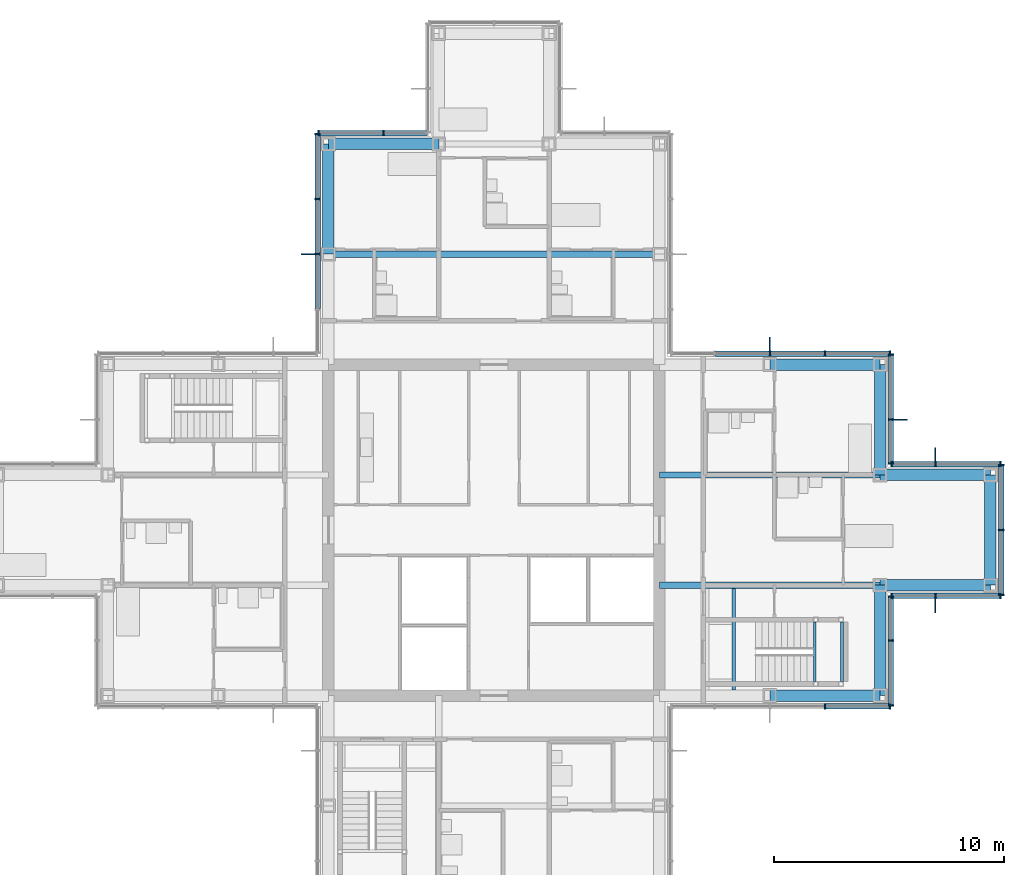
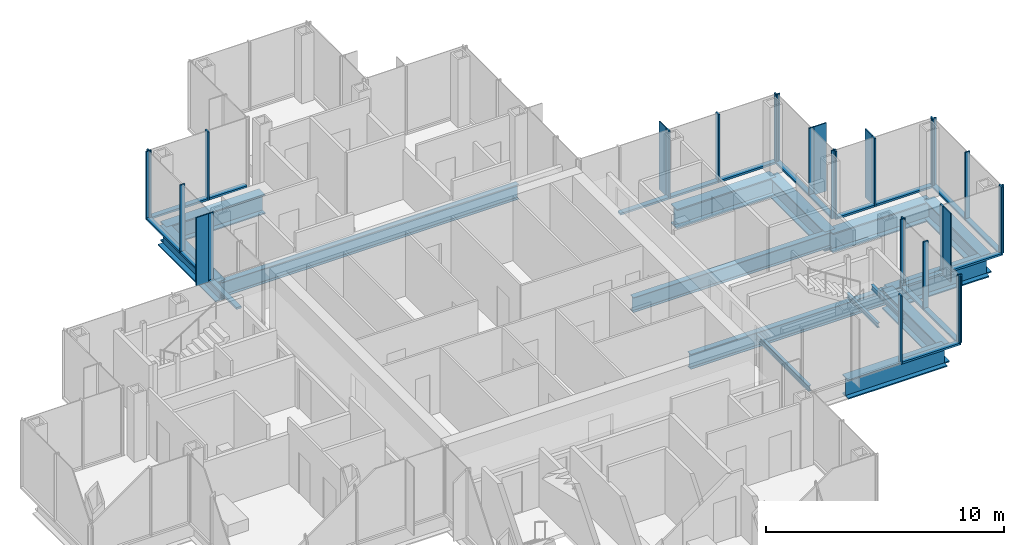
# One storey, part 8 of 17: 49 members, 15 beams, 9 elements without a shape of their own.
"""IFC4 building model written with IfcOpenShell, lengths in metres."""

from ifc_helpers import new_model, si_unit, direction, frame, origin, origin_2d, place, context, subcontext, project, spatial, rectangle, i_section, extrude, material, material_profile, profile_set, type_object, element, aggregate, save


model = new_model("IFC4")

# Units and contexts
model_context = context("Model", 3, precision=1e-05, world=origin(), true_north=direction((0.0, 1.0)))
body_context = subcontext(model_context, "Body", "Model", "MODEL_VIEW")
ifc_project = project(units=[si_unit("LENGTHUNIT", "METRE"), si_unit("AREAUNIT", "SQUARE_METRE"), si_unit("VOLUMEUNIT", "CUBIC_METRE"), si_unit("PLANEANGLEUNIT", "RADIAN"), si_unit("MASSUNIT", "GRAM", prefix="KILO")], contexts=[model_context])

# Site, building, storey
site_placement = place(None, origin())
site = spatial("IfcSite", under=ifc_project, at=site_placement, CompositionType="ELEMENT")
building_placement = place(site_placement, origin())
building = spatial("IfcBuilding", under=site, at=building_placement, Name="Kvirike Care Tower", CompositionType="ELEMENT")
storey_placement = place(building_placement, frame((0.0, 0.0, 179.5)))
storey = spatial("IfcBuildingStorey", under=building, at=storey_placement, Name="L49", CompositionType="ELEMENT", Elevation=179.5)

# Curtain wall, member
ifc_material_1 = material(Name="Anodised aluminium stick system", Category="aluminium")
curtain_wall_type = type_object("IfcCurtainWallType", Name="CW-C STICK CURTAIN WALL", PredefinedType="NOTDEFINED", material=ifc_material_1)
curtain_wall_1_placement = place(storey_placement, origin())
curtain_wall_1 = element("IfcCurtainWall", 1, at=curtain_wall_1_placement, inside=storey, type_object=curtain_wall_type, Name="Curtain wall L49 face 3", PredefinedType="NOTDEFINED")
ifc_material_2 = material(Name="Bronze anodised aluminium fin", Category="aluminium")
ifc_material_profile_1 = material_profile(ifc_material_2, rectangle(XDim=0.050048828125, YDim=0.60009765625, at=origin_2d()), Name="BRONZE FIN 600")
ifc_profile_set_1 = profile_set([ifc_material_profile_1], Name="Bronze anodised aluminium fin")
member_type_1 = type_object("IfcMemberType", Name="BRONZE FIN 600", PredefinedType="USERDEFINED", material=ifc_profile_set_1)
member_1_placement = place(storey_placement, frame((40.800048828125, 32.7099609375, 0.0), z_axis=(0.0, 0.0, 1.0), x_axis=(1.0, 0.0, 0.0)))
member_1 = element("IfcMember", 2, at=member_1_placement, type_object=member_type_1, Name="Bronze fin L49 face 3.2", ObjectType="FIN", PredefinedType="USERDEFINED", context=body_context, shape_type="SweptSolid", body=[
    extrude(rectangle(XDim=0.050048828125, YDim=0.60009765625, at=origin_2d()), origin(), (0.0, 0.0, 1.0), 3.5),
])

curtain_wall_2_placement = place(storey_placement, origin())
curtain_wall_2 = element("IfcCurtainWall", 3, at=curtain_wall_2_placement, inside=storey, type_object=curtain_wall_type, Name="Curtain wall L49 face 5", PredefinedType="NOTDEFINED")
member_2_placement = place(storey_placement, frame((40.800048828125, 39.2900390625, 0.0), z_axis=(0.0, 0.0, 1.0), x_axis=(-1.0, 0.0, 0.0)))
member_2 = element("IfcMember", 4, at=member_2_placement, type_object=member_type_1, Name="Bronze fin L49 face 5.2", ObjectType="FIN", PredefinedType="USERDEFINED", context=body_context, shape_type="SweptSolid", body=[
    extrude(rectangle(XDim=0.050048828125, YDim=0.60009765625, at=origin_2d()), origin(), (0.0, 0.0, 1.0), 3.5),
])

curtain_wall_3_placement = place(storey_placement, origin())
curtain_wall_3 = element("IfcCurtainWall", 5, at=curtain_wall_3_placement, inside=storey, type_object=curtain_wall_type, Name="Curtain wall L49 face 6", PredefinedType="NOTDEFINED")
member_3_placement = place(storey_placement, frame((39.2900390625, 40.800048828125, 0.0), z_axis=(0.0, 0.0, 1.0), x_axis=(0.0, 1.0, 0.0)))
member_3 = element("IfcMember", 6, at=member_3_placement, type_object=member_type_1, Name="Bronze fin L49 face 6.2", ObjectType="FIN", PredefinedType="USERDEFINED", context=body_context, shape_type="SweptSolid", body=[
    extrude(rectangle(XDim=0.050048828125, YDim=0.60009765625, at=origin_2d()), origin(), (0.0, 0.0, 1.0), 3.5),
])

curtain_wall_4_placement = place(storey_placement, origin())
curtain_wall_4 = element("IfcCurtainWall", 7, at=curtain_wall_4_placement, inside=storey, type_object=curtain_wall_type, Name="Curtain wall L49 face 7", PredefinedType="NOTDEFINED")
member_4_placement = place(storey_placement, frame((33.60009765625, 44.090087890625, 0.0), z_axis=(0.0, 0.0, 1.0), x_axis=(-1.0, 0.0, 0.0)))
member_4 = element("IfcMember", 8, at=member_4_placement, type_object=member_type_1, Name="Bronze fin L49 face 7.3", ObjectType="FIN", PredefinedType="USERDEFINED", context=body_context, shape_type="SweptSolid", body=[
    extrude(rectangle(XDim=0.050048828125, YDim=0.60009765625, at=origin_2d()), origin(), (0.0, 0.0, 1.0), 3.5),
])

curtain_wall_5_placement = place(storey_placement, origin())
curtain_wall_5 = element("IfcCurtainWall", 9, at=curtain_wall_5_placement, inside=storey, type_object=curtain_wall_type, Name="Curtain wall L49 face 14", PredefinedType="NOTDEFINED")
member_5_placement = place(storey_placement, frame((13.510009765625, 48.0, 0.0), z_axis=(0.0, 0.0, 1.0), x_axis=(0.0, -1.0, 0.0)))
member_5 = element("IfcMember", 10, at=member_5_placement, type_object=member_type_1, Name="Bronze fin L49 face 14.3", ObjectType="FIN", PredefinedType="USERDEFINED", context=body_context, shape_type="SweptSolid", body=[
    extrude(rectangle(XDim=0.050048828125, YDim=0.60009765625, at=origin_2d()), origin(), (0.0, 0.0, 1.0), 3.5),
])

# Curtain wall, members
curtain_wall_6_placement = place(storey_placement, origin())
curtain_wall_6 = element("IfcCurtainWall", 11, at=curtain_wall_6_placement, inside=storey, type_object=curtain_wall_type, Name="Curtain wall L49 face 1", PredefinedType="NOTDEFINED")
ifc_material_3 = material(Name="Bronze anodised aluminium mullion", Category="aluminium")
ifc_material_profile_2 = material_profile(ifc_material_3, rectangle(XDim=0.06494140625, YDim=0.239990234375, at=origin_2d()), Name="CW-C MULLION 65x240")
ifc_profile_set_2 = profile_set([ifc_material_profile_2], Name="Bronze anodised aluminium mullion")
member_type_2 = type_object("IfcMemberType", Name="CW-C MULLION 65x240", PredefinedType="MULLION", material=ifc_profile_set_2)
member_6_placement = place(storey_placement, frame((36.0, 28.330078125, 0.0), z_axis=(0.0, 0.0, 1.0), x_axis=(1.0, 0.0, 0.0)))
member_6 = element("IfcMember", 12, at=member_6_placement, type_object=member_type_2, Name="CW-C mullion L49 face 1.4", PredefinedType="MULLION", context=body_context, shape_type="SweptSolid", body=[
    extrude(rectangle(XDim=0.06494140625, YDim=0.239990234375, at=origin_2d()), origin(), (0.0, 0.0, 1.0), 3.5),
])
member_7_placement = place(storey_placement, frame((38.83740234375, 28.330078125, 0.0), z_axis=(0.0, 0.0, 1.0), x_axis=(1.0, 0.0, 0.0)))
member_7 = element("IfcMember", 13, at=member_7_placement, type_object=member_type_2, Name="CW-C mullion L49 face 1.5", PredefinedType="MULLION", context=body_context, shape_type="SweptSolid", body=[
    extrude(rectangle(XDim=0.06494140625, YDim=0.239990234375, at=origin_2d()), origin(), (0.0, 0.0, 1.0), 3.5),
])

curtain_wall_7_placement = place(storey_placement, origin())
curtain_wall_7 = element("IfcCurtainWall", 14, at=curtain_wall_7_placement, inside=storey, type_object=curtain_wall_type, Name="Curtain wall L49 face 2", PredefinedType="NOTDEFINED")
member_8_placement = place(storey_placement, frame((38.8701171875, 28.362548828125, 0.0), z_axis=(0.0, 0.0, 1.0), x_axis=(0.0, 1.0, 0.0)))
member_8 = element("IfcMember", 15, at=member_8_placement, type_object=member_type_2, Name="CW-C mullion L49 face 2.1", PredefinedType="MULLION", context=body_context, shape_type="SweptSolid", body=[
    extrude(rectangle(XDim=0.06494140625, YDim=0.239990234375, at=origin_2d()), origin(), (0.0, 0.0, 1.0), 3.5),
])
member_9_placement = place(storey_placement, frame((38.8701171875, 31.199951171875, 0.0), z_axis=(0.0, 0.0, 1.0), x_axis=(0.0, 1.0, 0.0)))
member_9 = element("IfcMember", 16, at=member_9_placement, type_object=member_type_2, Name="CW-C mullion L49 face 2.2", PredefinedType="MULLION", context=body_context, shape_type="SweptSolid", body=[
    extrude(rectangle(XDim=0.06494140625, YDim=0.239990234375, at=origin_2d()), origin(), (0.0, 0.0, 1.0), 3.5),
])
member_10_placement = place(storey_placement, frame((38.8701171875, 33.097412109375, 0.0), z_axis=(0.0, 0.0, 1.0), x_axis=(0.0, 1.0, 0.0)))
member_10 = element("IfcMember", 17, at=member_10_placement, type_object=member_type_2, Name="CW-C mullion L49 face 2.3", PredefinedType="MULLION", context=body_context, shape_type="SweptSolid", body=[
    extrude(rectangle(XDim=0.06494140625, YDim=0.239990234375, at=origin_2d()), origin(), (0.0, 0.0, 1.0), 3.5),
])

# Member
member_11_placement = place(storey_placement, frame((38.902587890625, 33.1298828125, 0.0), z_axis=(0.0, 0.0, 1.0), x_axis=(1.0, 0.0, 0.0)))
member_11 = element("IfcMember", 18, at=member_11_placement, type_object=member_type_2, Name="CW-C mullion L49 face 3.1", PredefinedType="MULLION", context=body_context, shape_type="SweptSolid", body=[
    extrude(rectangle(XDim=0.06494140625, YDim=0.239990234375, at=origin_2d()), origin(), (0.0, 0.0, 1.0), 3.5),
])

member_12_placement = place(storey_placement, frame((40.800048828125, 33.1298828125, 0.0), z_axis=(0.0, 0.0, 1.0), x_axis=(1.0, 0.0, 0.0)))
member_12 = element("IfcMember", 19, at=member_12_placement, type_object=member_type_2, Name="CW-C mullion L49 face 3.2", PredefinedType="MULLION", context=body_context, shape_type="SweptSolid", body=[
    extrude(rectangle(XDim=0.06494140625, YDim=0.239990234375, at=origin_2d()), origin(), (0.0, 0.0, 1.0), 3.5),
])

member_13_placement = place(storey_placement, frame((43.637451171875, 33.1298828125, 0.0), z_axis=(0.0, 0.0, 1.0), x_axis=(1.0, 0.0, 0.0)))
member_13 = element("IfcMember", 20, at=member_13_placement, type_object=member_type_2, Name="CW-C mullion L49 face 3.3", PredefinedType="MULLION", context=body_context, shape_type="SweptSolid", body=[
    extrude(rectangle(XDim=0.06494140625, YDim=0.239990234375, at=origin_2d()), origin(), (0.0, 0.0, 1.0), 3.5),
])

# Curtain wall, members
curtain_wall_8_placement = place(storey_placement, origin())
curtain_wall_8 = element("IfcCurtainWall", 21, at=curtain_wall_8_placement, inside=storey, type_object=curtain_wall_type, Name="Curtain wall L49 face 4", PredefinedType="NOTDEFINED")
member_14_placement = place(storey_placement, frame((43.669921875, 33.16259765625, 0.0), z_axis=(0.0, 0.0, 1.0), x_axis=(0.0, 1.0, 0.0)))
member_14 = element("IfcMember", 22, at=member_14_placement, type_object=member_type_2, Name="CW-C mullion L49 face 4.1", PredefinedType="MULLION", context=body_context, shape_type="SweptSolid", body=[
    extrude(rectangle(XDim=0.06494140625, YDim=0.239990234375, at=origin_2d()), origin(), (0.0, 0.0, 1.0), 3.5),
])
member_15_placement = place(storey_placement, frame((43.669921875, 36.0, 0.0), z_axis=(0.0, 0.0, 1.0), x_axis=(0.0, 1.0, 0.0)))
member_15 = element("IfcMember", 23, at=member_15_placement, type_object=member_type_2, Name="CW-C mullion L49 face 4.2", PredefinedType="MULLION", context=body_context, shape_type="SweptSolid", body=[
    extrude(rectangle(XDim=0.06494140625, YDim=0.239990234375, at=origin_2d()), origin(), (0.0, 0.0, 1.0), 3.5),
])
member_16_placement = place(storey_placement, frame((43.669921875, 38.83740234375, 0.0), z_axis=(0.0, 0.0, 1.0), x_axis=(0.0, 1.0, 0.0)))
member_16 = element("IfcMember", 24, at=member_16_placement, type_object=member_type_2, Name="CW-C mullion L49 face 4.3", PredefinedType="MULLION", context=body_context, shape_type="SweptSolid", body=[
    extrude(rectangle(XDim=0.06494140625, YDim=0.239990234375, at=origin_2d()), origin(), (0.0, 0.0, 1.0), 3.5),
])

# Member
member_17_placement = place(storey_placement, frame((43.637451171875, 38.8701171875, 0.0), z_axis=(0.0, 0.0, 1.0), x_axis=(-1.0, 0.0, 0.0)))
member_17 = element("IfcMember", 25, at=member_17_placement, type_object=member_type_2, Name="CW-C mullion L49 face 5.1", PredefinedType="MULLION", context=body_context, shape_type="SweptSolid", body=[
    extrude(rectangle(XDim=0.06494140625, YDim=0.239990234375, at=origin_2d()), origin(), (0.0, 0.0, 1.0), 3.5),
])

member_18_placement = place(storey_placement, frame((40.800048828125, 38.8701171875, 0.0), z_axis=(0.0, 0.0, 1.0), x_axis=(-1.0, 0.0, 0.0)))
member_18 = element("IfcMember", 26, at=member_18_placement, type_object=member_type_2, Name="CW-C mullion L49 face 5.2", PredefinedType="MULLION", context=body_context, shape_type="SweptSolid", body=[
    extrude(rectangle(XDim=0.06494140625, YDim=0.239990234375, at=origin_2d()), origin(), (0.0, 0.0, 1.0), 3.5),
])

member_19_placement = place(storey_placement, frame((38.902587890625, 38.8701171875, 0.0), z_axis=(0.0, 0.0, 1.0), x_axis=(-1.0, 0.0, 0.0)))
member_19 = element("IfcMember", 27, at=member_19_placement, type_object=member_type_2, Name="CW-C mullion L49 face 5.3", PredefinedType="MULLION", context=body_context, shape_type="SweptSolid", body=[
    extrude(rectangle(XDim=0.06494140625, YDim=0.239990234375, at=origin_2d()), origin(), (0.0, 0.0, 1.0), 3.5),
])

member_20_placement = place(storey_placement, frame((38.8701171875, 38.902587890625, 0.0), z_axis=(0.0, 0.0, 1.0), x_axis=(0.0, 1.0, 0.0)))
member_20 = element("IfcMember", 28, at=member_20_placement, type_object=member_type_2, Name="CW-C mullion L49 face 6.1", PredefinedType="MULLION", context=body_context, shape_type="SweptSolid", body=[
    extrude(rectangle(XDim=0.06494140625, YDim=0.239990234375, at=origin_2d()), origin(), (0.0, 0.0, 1.0), 3.5),
])

member_21_placement = place(storey_placement, frame((38.8701171875, 40.800048828125, 0.0), z_axis=(0.0, 0.0, 1.0), x_axis=(0.0, 1.0, 0.0)))
member_21 = element("IfcMember", 29, at=member_21_placement, type_object=member_type_2, Name="CW-C mullion L49 face 6.2", PredefinedType="MULLION", context=body_context, shape_type="SweptSolid", body=[
    extrude(rectangle(XDim=0.06494140625, YDim=0.239990234375, at=origin_2d()), origin(), (0.0, 0.0, 1.0), 3.5),
])

member_22_placement = place(storey_placement, frame((38.8701171875, 43.637451171875, 0.0), z_axis=(0.0, 0.0, 1.0), x_axis=(0.0, 1.0, 0.0)))
member_22 = element("IfcMember", 30, at=member_22_placement, type_object=member_type_2, Name="CW-C mullion L49 face 6.3", PredefinedType="MULLION", context=body_context, shape_type="SweptSolid", body=[
    extrude(rectangle(XDim=0.06494140625, YDim=0.239990234375, at=origin_2d()), origin(), (0.0, 0.0, 1.0), 3.5),
])

member_23_placement = place(storey_placement, frame((38.83740234375, 43.669921875, 0.0), z_axis=(0.0, 0.0, 1.0), x_axis=(-1.0, 0.0, 0.0)))
member_23 = element("IfcMember", 31, at=member_23_placement, type_object=member_type_2, Name="CW-C mullion L49 face 7.1", PredefinedType="MULLION", context=body_context, shape_type="SweptSolid", body=[
    extrude(rectangle(XDim=0.06494140625, YDim=0.239990234375, at=origin_2d()), origin(), (0.0, 0.0, 1.0), 3.5),
])

member_24_placement = place(storey_placement, frame((36.0, 43.669921875, 0.0), z_axis=(0.0, 0.0, 1.0), x_axis=(-1.0, 0.0, 0.0)))
member_24 = element("IfcMember", 32, at=member_24_placement, type_object=member_type_2, Name="CW-C mullion L49 face 7.2", PredefinedType="MULLION", context=body_context, shape_type="SweptSolid", body=[
    extrude(rectangle(XDim=0.06494140625, YDim=0.239990234375, at=origin_2d()), origin(), (0.0, 0.0, 1.0), 3.5),
])

member_25_placement = place(storey_placement, frame((33.60009765625, 43.669921875, 0.0), z_axis=(0.0, 0.0, 1.0), x_axis=(-1.0, 0.0, 0.0)))
member_25 = element("IfcMember", 33, at=member_25_placement, type_object=member_type_2, Name="CW-C mullion L49 face 7.3", PredefinedType="MULLION", context=body_context, shape_type="SweptSolid", body=[
    extrude(rectangle(XDim=0.06494140625, YDim=0.239990234375, at=origin_2d()), origin(), (0.0, 0.0, 1.0), 3.5),
])

# Curtain wall, members
curtain_wall_9_placement = place(storey_placement, origin())
curtain_wall_9 = element("IfcCurtainWall", 34, at=curtain_wall_9_placement, inside=storey, type_object=curtain_wall_type, Name="Curtain wall L49 face 13", PredefinedType="NOTDEFINED")
member_26_placement = place(storey_placement, frame((16.800048828125, 53.27001953125, 0.0), z_axis=(0.0, 0.0, 1.0), x_axis=(-1.0, 0.0, 0.0)))
member_26 = element("IfcMember", 35, at=member_26_placement, type_object=member_type_2, Name="CW-C mullion L49 face 13.2", PredefinedType="MULLION", context=body_context, shape_type="SweptSolid", body=[
    extrude(rectangle(XDim=0.06494140625, YDim=0.239990234375, at=origin_2d()), origin(), (0.0, 0.0, 1.0), 3.5),
])
member_27_placement = place(storey_placement, frame((13.96240234375, 53.27001953125, 0.0), z_axis=(0.0, 0.0, 1.0), x_axis=(-1.0, 0.0, 0.0)))
member_27 = element("IfcMember", 36, at=member_27_placement, type_object=member_type_2, Name="CW-C mullion L49 face 13.3", PredefinedType="MULLION", context=body_context, shape_type="SweptSolid", body=[
    extrude(rectangle(XDim=0.06494140625, YDim=0.239990234375, at=origin_2d()), origin(), (0.0, 0.0, 1.0), 3.5),
])

# Member
member_28_placement = place(storey_placement, frame((13.929931640625, 53.237548828125, 0.0), z_axis=(0.0, 0.0, 1.0), x_axis=(0.0, -1.0, 0.0)))
member_28 = element("IfcMember", 37, at=member_28_placement, type_object=member_type_2, Name="CW-C mullion L49 face 14.1", PredefinedType="MULLION", context=body_context, shape_type="SweptSolid", body=[
    extrude(rectangle(XDim=0.06494140625, YDim=0.239990234375, at=origin_2d()), origin(), (0.0, 0.0, 1.0), 3.5),
])

member_29_placement = place(storey_placement, frame((13.929931640625, 50.39990234375, 0.0), z_axis=(0.0, 0.0, 1.0), x_axis=(0.0, -1.0, 0.0)))
member_29 = element("IfcMember", 38, at=member_29_placement, type_object=member_type_2, Name="CW-C mullion L49 face 14.2", PredefinedType="MULLION", context=body_context, shape_type="SweptSolid", body=[
    extrude(rectangle(XDim=0.06494140625, YDim=0.239990234375, at=origin_2d()), origin(), (0.0, 0.0, 1.0), 3.5),
])

member_30_placement = place(storey_placement, frame((13.929931640625, 48.0, 0.0), z_axis=(0.0, 0.0, 1.0), x_axis=(0.0, -1.0, 0.0)))
member_30 = element("IfcMember", 39, at=member_30_placement, type_object=member_type_2, Name="CW-C mullion L49 face 14.3", PredefinedType="MULLION", context=body_context, shape_type="SweptSolid", body=[
    extrude(rectangle(XDim=0.06494140625, YDim=0.239990234375, at=origin_2d()), origin(), (0.0, 0.0, 1.0), 3.5),
])

ifc_material_4 = material(Name="Bronze anodised aluminium transom", Category="aluminium")
ifc_material_profile_3 = material_profile(ifc_material_4, rectangle(XDim=0.239990234375, YDim=0.10009765625, at=origin_2d()), Name="CW-C TRANSOM 240x100")
ifc_profile_set_3 = profile_set([ifc_material_profile_3], Name="Bronze anodised aluminium transom")
member_type_3 = type_object("IfcMemberType", Name="CW-C TRANSOM 240x100", PredefinedType="USERDEFINED", material=ifc_profile_set_3)
member_31_placement = place(storey_placement, frame((36.032470703125, 28.330078125, 0.050048828125), z_axis=(1.0, 0.0, 0.0), x_axis=(0.0, 1.0, 0.0)))
member_31 = element("IfcMember", 40, at=member_31_placement, type_object=member_type_3, Name="CW-C sill transom L49 face 1.4", ObjectType="TRANSOM", PredefinedType="USERDEFINED", context=body_context, shape_type="SweptSolid", body=[
    extrude(rectangle(XDim=0.239990234375, YDim=0.10009765625, at=origin_2d()), origin(), (0.0, 0.0, 1.0), 2.7724609375),
])

aggregate(curtain_wall_6, [member_6, member_7, member_31])

member_32_placement = place(storey_placement, frame((38.8701171875, 28.39501953125, 0.050048828125), z_axis=(0.0, 1.0, 0.0), x_axis=(-1.0, 0.0, 0.0)))
member_32 = element("IfcMember", 41, at=member_32_placement, type_object=member_type_3, Name="CW-C sill transom L49 face 2.1", ObjectType="TRANSOM", PredefinedType="USERDEFINED", context=body_context, shape_type="SweptSolid", body=[
    extrude(rectangle(XDim=0.239990234375, YDim=0.10009765625, at=origin_2d()), origin(), (0.0, 0.0, 1.0), 2.7724609375),
])

member_33_placement = place(storey_placement, frame((38.8701171875, 31.232421875, 0.050048828125), z_axis=(0.0, 1.0, 0.0), x_axis=(-1.0, 0.0, 0.0)))
member_33 = element("IfcMember", 42, at=member_33_placement, type_object=member_type_3, Name="CW-C sill transom L49 face 2.2", ObjectType="TRANSOM", PredefinedType="USERDEFINED", context=body_context, shape_type="SweptSolid", body=[
    extrude(rectangle(XDim=0.239990234375, YDim=0.10009765625, at=origin_2d()), origin(), (0.0, 0.0, 1.0), 1.83251953125),
])

aggregate(curtain_wall_7, [member_8, member_9, member_10, member_32, member_33])

member_34_placement = place(storey_placement, frame((38.93505859375, 33.1298828125, 0.050048828125), z_axis=(1.0, 0.0, 0.0), x_axis=(0.0, 1.0, 0.0)))
member_34 = element("IfcMember", 43, at=member_34_placement, type_object=member_type_3, Name="CW-C sill transom L49 face 3.1", ObjectType="TRANSOM", PredefinedType="USERDEFINED", context=body_context, shape_type="SweptSolid", body=[
    extrude(rectangle(XDim=0.239990234375, YDim=0.10009765625, at=origin_2d()), origin(), (0.0, 0.0, 1.0), 1.83251953125),
])

member_35_placement = place(storey_placement, frame((40.83251953125, 33.1298828125, 0.050048828125), z_axis=(1.0, 0.0, 0.0), x_axis=(0.0, 1.0, 0.0)))
member_35 = element("IfcMember", 44, at=member_35_placement, type_object=member_type_3, Name="CW-C sill transom L49 face 3.2", ObjectType="TRANSOM", PredefinedType="USERDEFINED", context=body_context, shape_type="SweptSolid", body=[
    extrude(rectangle(XDim=0.239990234375, YDim=0.10009765625, at=origin_2d()), origin(), (0.0, 0.0, 1.0), 2.7724609375),
])

aggregate(curtain_wall_1, [member_11, member_12, member_1, member_13, member_34, member_35])

member_36_placement = place(storey_placement, frame((43.669921875, 33.195068359375, 0.050048828125), z_axis=(0.0, 1.0, 0.0), x_axis=(-1.0, 0.0, 0.0)))
member_36 = element("IfcMember", 45, at=member_36_placement, type_object=member_type_3, Name="CW-C sill transom L49 face 4.1", ObjectType="TRANSOM", PredefinedType="USERDEFINED", context=body_context, shape_type="SweptSolid", body=[
    extrude(rectangle(XDim=0.239990234375, YDim=0.10009765625, at=origin_2d()), origin(), (0.0, 0.0, 1.0), 2.7724609375),
])

member_37_placement = place(storey_placement, frame((43.669921875, 36.032470703125, 0.050048828125), z_axis=(0.0, 1.0, 0.0), x_axis=(-1.0, 0.0, 0.0)))
member_37 = element("IfcMember", 46, at=member_37_placement, type_object=member_type_3, Name="CW-C sill transom L49 face 4.2", ObjectType="TRANSOM", PredefinedType="USERDEFINED", context=body_context, shape_type="SweptSolid", body=[
    extrude(rectangle(XDim=0.239990234375, YDim=0.10009765625, at=origin_2d()), origin(), (0.0, 0.0, 1.0), 2.7724609375),
])

aggregate(curtain_wall_8, [member_14, member_15, member_16, member_36, member_37])

member_38_placement = place(storey_placement, frame((43.60498046875, 38.8701171875, 0.050048828125), z_axis=(-1.0, 0.0, 0.0), x_axis=(0.0, -1.0, 0.0)))
member_38 = element("IfcMember", 47, at=member_38_placement, type_object=member_type_3, Name="CW-C sill transom L49 face 5.1", ObjectType="TRANSOM", PredefinedType="USERDEFINED", context=body_context, shape_type="SweptSolid", body=[
    extrude(rectangle(XDim=0.239990234375, YDim=0.10009765625, at=origin_2d()), origin(), (0.0, 0.0, 1.0), 2.7724609375),
])

member_39_placement = place(storey_placement, frame((40.767578125, 38.8701171875, 0.050048828125), z_axis=(-1.0, 0.0, 0.0), x_axis=(0.0, -1.0, 0.0)))
member_39 = element("IfcMember", 48, at=member_39_placement, type_object=member_type_3, Name="CW-C sill transom L49 face 5.2", ObjectType="TRANSOM", PredefinedType="USERDEFINED", context=body_context, shape_type="SweptSolid", body=[
    extrude(rectangle(XDim=0.239990234375, YDim=0.10009765625, at=origin_2d()), origin(), (0.0, 0.0, 1.0), 1.83251953125),
])

aggregate(curtain_wall_2, [member_17, member_18, member_2, member_19, member_38, member_39])

member_40_placement = place(storey_placement, frame((38.8701171875, 38.93505859375, 0.050048828125), z_axis=(0.0, 1.0, 0.0), x_axis=(-1.0, 0.0, 0.0)))
member_40 = element("IfcMember", 49, at=member_40_placement, type_object=member_type_3, Name="CW-C sill transom L49 face 6.1", ObjectType="TRANSOM", PredefinedType="USERDEFINED", context=body_context, shape_type="SweptSolid", body=[
    extrude(rectangle(XDim=0.239990234375, YDim=0.10009765625, at=origin_2d()), origin(), (0.0, 0.0, 1.0), 1.83251953125),
])

member_41_placement = place(storey_placement, frame((38.8701171875, 40.83251953125, 0.050048828125), z_axis=(0.0, 1.0, 0.0), x_axis=(-1.0, 0.0, 0.0)))
member_41 = element("IfcMember", 50, at=member_41_placement, type_object=member_type_3, Name="CW-C sill transom L49 face 6.2", ObjectType="TRANSOM", PredefinedType="USERDEFINED", context=body_context, shape_type="SweptSolid", body=[
    extrude(rectangle(XDim=0.239990234375, YDim=0.10009765625, at=origin_2d()), origin(), (0.0, 0.0, 1.0), 2.7724609375),
])

aggregate(curtain_wall_3, [member_20, member_21, member_3, member_22, member_40, member_41])

member_42_placement = place(storey_placement, frame((38.804931640625, 43.669921875, 0.050048828125), z_axis=(-1.0, 0.0, 0.0), x_axis=(0.0, -1.0, 0.0)))
member_42 = element("IfcMember", 51, at=member_42_placement, type_object=member_type_3, Name="CW-C sill transom L49 face 7.1", ObjectType="TRANSOM", PredefinedType="USERDEFINED", context=body_context, shape_type="SweptSolid", body=[
    extrude(rectangle(XDim=0.239990234375, YDim=0.10009765625, at=origin_2d()), origin(), (0.0, 0.0, 1.0), 2.7724609375),
])

member_43_placement = place(storey_placement, frame((35.967529296875, 43.669921875, 0.050048828125), z_axis=(-1.0, 0.0, 0.0), x_axis=(0.0, -1.0, 0.0)))
member_43 = element("IfcMember", 52, at=member_43_placement, type_object=member_type_3, Name="CW-C sill transom L49 face 7.2", ObjectType="TRANSOM", PredefinedType="USERDEFINED", context=body_context, shape_type="SweptSolid", body=[
    extrude(rectangle(XDim=0.239990234375, YDim=0.10009765625, at=origin_2d()), origin(), (0.0, 0.0, 1.0), 2.3349609375),
])

member_44_placement = place(storey_placement, frame((33.5673828125, 43.669921875, 0.050048828125), z_axis=(-1.0, 0.0, 0.0), x_axis=(0.0, -1.0, 0.0)))
member_44 = element("IfcMember", 53, at=member_44_placement, type_object=member_type_3, Name="CW-C sill transom L49 face 7.3", ObjectType="TRANSOM", PredefinedType="USERDEFINED", context=body_context, shape_type="SweptSolid", body=[
    extrude(rectangle(XDim=0.239990234375, YDim=0.10009765625, at=origin_2d()), origin(), (0.0, 0.0, 1.0), 2.3349609375),
])

aggregate(curtain_wall_4, [member_23, member_24, member_25, member_4, member_42, member_43, member_44])

member_45_placement = place(storey_placement, frame((18.6650390625, 53.27001953125, 0.050048828125), z_axis=(-1.0, 0.0, 0.0), x_axis=(0.0, -1.0, 0.0)))
member_45 = element("IfcMember", 54, at=member_45_placement, type_object=member_type_3, Name="CW-C sill transom L49 face 13.1", ObjectType="TRANSOM", PredefinedType="USERDEFINED", context=body_context, shape_type="SweptSolid", body=[
    extrude(rectangle(XDim=0.239990234375, YDim=0.10009765625, at=origin_2d()), origin(), (0.0, 0.0, 1.0), 1.83251953125),
])

member_46_placement = place(storey_placement, frame((16.767578125, 53.27001953125, 0.050048828125), z_axis=(-1.0, 0.0, 0.0), x_axis=(0.0, -1.0, 0.0)))
member_46 = element("IfcMember", 55, at=member_46_placement, type_object=member_type_3, Name="CW-C sill transom L49 face 13.2", ObjectType="TRANSOM", PredefinedType="USERDEFINED", context=body_context, shape_type="SweptSolid", body=[
    extrude(rectangle(XDim=0.239990234375, YDim=0.10009765625, at=origin_2d()), origin(), (0.0, 0.0, 1.0), 2.7724609375),
])

aggregate(curtain_wall_9, [member_26, member_27, member_45, member_46])

member_47_placement = place(storey_placement, frame((13.929931640625, 53.205078125, 0.050048828125), z_axis=(0.0, -1.0, 0.0), x_axis=(1.0, 0.0, 0.0)))
member_47 = element("IfcMember", 56, at=member_47_placement, type_object=member_type_3, Name="CW-C sill transom L49 face 14.1", ObjectType="TRANSOM", PredefinedType="USERDEFINED", context=body_context, shape_type="SweptSolid", body=[
    extrude(rectangle(XDim=0.239990234375, YDim=0.10009765625, at=origin_2d()), origin(), (0.0, 0.0, 1.0), 2.7724609375),
])

member_48_placement = place(storey_placement, frame((13.929931640625, 50.367431640625, 0.050048828125), z_axis=(0.0, -1.0, 0.0), x_axis=(1.0, 0.0, 0.0)))
member_48 = element("IfcMember", 57, at=member_48_placement, type_object=member_type_3, Name="CW-C sill transom L49 face 14.2", ObjectType="TRANSOM", PredefinedType="USERDEFINED", context=body_context, shape_type="SweptSolid", body=[
    extrude(rectangle(XDim=0.239990234375, YDim=0.10009765625, at=origin_2d()), origin(), (0.0, 0.0, 1.0), 2.3349609375),
])

member_49_placement = place(storey_placement, frame((13.929931640625, 47.967529296875, 0.050048828125), z_axis=(0.0, -1.0, 0.0), x_axis=(1.0, 0.0, 0.0)))
member_49 = element("IfcMember", 58, at=member_49_placement, type_object=member_type_3, Name="CW-C sill transom L49 face 14.3", ObjectType="TRANSOM", PredefinedType="USERDEFINED", context=body_context, shape_type="SweptSolid", body=[
    extrude(rectangle(XDim=0.239990234375, YDim=0.10009765625, at=origin_2d()), origin(), (0.0, 0.0, 1.0), 2.3349609375),
])

aggregate(curtain_wall_5, [member_28, member_29, member_30, member_5, member_47, member_48, member_49])

# Beams
ifc_material_5 = material(Name="Steel S355", Category="steel")
ifc_material_profile_4 = material_profile(ifc_material_5, i_section(OverallWidth=0.26806640625, OverallDepth=0.77001953125, WebThickness=0.015625, FlangeThickness=0.025390625, FilletRadius=0.01708984375, at=origin_2d()), Name="IPE 750x196")
ifc_profile_set_4 = profile_set([ifc_material_profile_4], Name="Steel S355")
beam_type_1 = type_object("IfcBeamType", Name="FLOOR BEAM IPE 750x196", PredefinedType="BEAM", material=ifc_profile_set_4)
for number, where, z_axis, x_axis, name in (
    (59, (28.800048828125, 33.60009765625, -0.554931640625), (1.0, 0.0, 0.0), (0.0, 1.0, 0.0), "Floor Beam H9-H11 L49"),
    (60, (28.800048828125, 38.39990234375, -0.554931640625), (1.0, 0.0, 0.0), (0.0, 1.0, 0.0), "Floor Beam J9-J11 L49"),
):
    element("IfcBeam", number, at=place(storey_placement, frame(where, z_axis=z_axis, x_axis=x_axis)), inside=storey, type_object=beam_type_1, Name=name, PredefinedType="BEAM", context=body_context, shape_type="SweptSolid", body=[
        extrude(i_section(OverallWidth=0.26806640625, OverallDepth=0.77001953125, WebThickness=0.015625, FlangeThickness=0.025390625, FilletRadius=0.01708984375, at=origin_2d()), origin(), (0.0, 0.0, 1.0), 9.599853515625),
    ])
beam_1_placement = place(storey_placement, frame((14.39990234375, 48.0, -0.554931640625), z_axis=(1.0, 0.0, 0.0), x_axis=(0.0, 1.0, 0.0)))
element("IfcBeam", 61, at=beam_1_placement, inside=storey, type_object=beam_type_1, Name="Floor Beam L6-L9 L49", PredefinedType="BEAM", context=body_context, shape_type="SweptSolid", body=[
    extrude(i_section(OverallWidth=0.26806640625, OverallDepth=0.77001953125, WebThickness=0.015625, FlangeThickness=0.025390625, FilletRadius=0.01708984375, at=origin_2d()), origin(), (0.0, 0.0, 1.0), 14.400146484375),
])
ifc_material_6 = material(Name="Steel S355", Category="steel")
ifc_material_profile_5 = material_profile(ifc_material_6, i_section(OverallWidth=0.5, OverallDepth=1.0, WebThickness=0.030029296875, FlangeThickness=0.06005859375, at=origin_2d()), Name="PG 1000x500x30x60")
ifc_profile_set_5 = profile_set([ifc_material_profile_5], Name="Steel S355")
beam_type_2 = type_object("IfcBeamType", Name="SPANDREL PG 1000x500x30x60", PredefinedType="SPANDREL", material=ifc_profile_set_5)
beam_2_placement = place(storey_placement, frame((33.60009765625, 28.800048828125, -0.669921875), z_axis=(1.0, 0.0, 0.0), x_axis=(0.0, 1.0, 0.0)))
element("IfcBeam", 62, at=beam_2_placement, inside=storey, type_object=beam_type_2, Name="Spandrel G10-G11 L49", PredefinedType="SPANDREL", context=body_context, shape_type="SweptSolid", body=[
    extrude(i_section(OverallWidth=0.5, OverallDepth=1.0, WebThickness=0.030029296875, FlangeThickness=0.06005859375, at=origin_2d()), origin(), (0.0, 0.0, 1.0), 4.7998046875),
])
for number, where, z_axis, x_axis, name in (
    (63, (38.39990234375, 33.60009765625, -0.669921875), (1.0, 0.0, 0.0), (0.0, 1.0, 0.0), "Spandrel H11-H12 L49"),
    (64, (38.39990234375, 38.39990234375, -0.669921875), (1.0, 0.0, 0.0), (0.0, 1.0, 0.0), "Spandrel J11-J12 L49"),
):
    element("IfcBeam", number, at=place(storey_placement, frame(where, z_axis=z_axis, x_axis=x_axis)), inside=storey, type_object=beam_type_2, Name=name, PredefinedType="SPANDREL", context=body_context, shape_type="SweptSolid", body=[
        extrude(i_section(OverallWidth=0.5, OverallDepth=1.0, WebThickness=0.030029296875, FlangeThickness=0.06005859375, at=origin_2d()), origin(), (0.0, 0.0, 1.0), 4.800048828125),
    ])
beam_3_placement = place(storey_placement, frame((33.60009765625, 43.199951171875, -0.669921875), z_axis=(1.0, 0.0, 0.0), x_axis=(0.0, 1.0, 0.0)))
element("IfcBeam", 65, at=beam_3_placement, inside=storey, type_object=beam_type_2, Name="Spandrel K10-K11 L49", PredefinedType="SPANDREL", context=body_context, shape_type="SweptSolid", body=[
    extrude(i_section(OverallWidth=0.5, OverallDepth=1.0, WebThickness=0.030029296875, FlangeThickness=0.06005859375, at=origin_2d()), origin(), (0.0, 0.0, 1.0), 4.7998046875),
])
for number, where, z_axis, x_axis, name in (
    (66, (14.39990234375, 52.800048828125, -0.669921875), (1.0, 0.0, 0.0), (0.0, 1.0, 0.0), "Spandrel M6-M7 L49"),
    (67, (14.39990234375, 48.0, -0.669921875), (0.0, 1.0, 0.0), (-1.0, 0.0, 0.0), "Spandrel L6-M6 L49"),
    (68, (38.39990234375, 28.800048828125, -0.669921875), (0.0, 1.0, 0.0), (-1.0, 0.0, 0.0), "Spandrel G11-H11 L49"),
    (69, (38.39990234375, 38.39990234375, -0.669921875), (0.0, 1.0, 0.0), (-1.0, 0.0, 0.0), "Spandrel J11-K11 L49"),
):
    element("IfcBeam", number, at=place(storey_placement, frame(where, z_axis=z_axis, x_axis=x_axis)), inside=storey, type_object=beam_type_2, Name=name, PredefinedType="SPANDREL", context=body_context, shape_type="SweptSolid", body=[
        extrude(i_section(OverallWidth=0.5, OverallDepth=1.0, WebThickness=0.030029296875, FlangeThickness=0.06005859375, at=origin_2d()), origin(), (0.0, 0.0, 1.0), 4.800048828125),
    ])
beam_4_placement = place(storey_placement, frame((43.199951171875, 33.60009765625, -0.669921875), z_axis=(0.0, 1.0, 0.0), x_axis=(-1.0, 0.0, 0.0)))
element("IfcBeam", 70, at=beam_4_placement, inside=storey, type_object=beam_type_2, Name="Spandrel H12-J12 L49", PredefinedType="SPANDREL", context=body_context, shape_type="SweptSolid", body=[
    extrude(i_section(OverallWidth=0.5, OverallDepth=1.0, WebThickness=0.030029296875, FlangeThickness=0.06005859375, at=origin_2d()), origin(), (0.0, 0.0, 1.0), 4.7998046875),
])
ifc_material_7 = material(Name="Steel S355", Category="steel")
ifc_material_profile_6 = material_profile(ifc_material_7, i_section(OverallWidth=0.1201171875, OverallDepth=0.239990234375, WebThickness=0.006103515625, FlangeThickness=0.009765625, FilletRadius=0.014892578125, at=origin_2d()), Name="IPE 240")
ifc_profile_set_6 = profile_set([ifc_material_profile_6], Name="Steel S355")
beam_type_3 = type_object("IfcBeamType", Name="STAIR LANDING BEAM IPE 240", PredefinedType="BEAM", material=ifc_profile_set_6)
for number, where, z_axis, x_axis, name in (
    (71, (36.739990234375, 29.39990234375, 1.429931640625), (0.0, 1.0, 0.0), (-1.0, 0.0, 0.0), "Stair 2 landing beam back L49"),
    (72, (35.56005859375, 29.39990234375, 1.429931640625), (0.0, 1.0, 0.0), (-1.0, 0.0, 0.0), "Stair 2 landing beam front L49"),
):
    element("IfcBeam", number, at=place(storey_placement, frame(where, z_axis=z_axis, x_axis=x_axis)), inside=storey, type_object=beam_type_3, Name=name, PredefinedType="BEAM", context=body_context, shape_type="SweptSolid", body=[
        extrude(i_section(OverallWidth=0.1201171875, OverallDepth=0.239990234375, WebThickness=0.006103515625, FlangeThickness=0.009765625, FilletRadius=0.014892578125, at=origin_2d()), origin(), (0.0, 0.0, 1.0), 2.60009765625),
    ])
ifc_material_8 = material(Name="Steel S355", Category="steel")
ifc_material_profile_7 = material_profile(ifc_material_8, i_section(OverallWidth=0.14990234375, OverallDepth=0.300048828125, WebThickness=0.007080078125, FlangeThickness=0.0107421875, FilletRadius=0.014892578125, at=origin_2d()), Name="IPE 300")
ifc_profile_set_7 = profile_set([ifc_material_profile_7], Name="Steel S355")
beam_type_4 = type_object("IfcBeamType", Name="STAIR TRIMMER IPE 300", PredefinedType="BEAM", material=ifc_profile_set_7)
beam_5_placement = place(storey_placement, frame((32.02490234375, 29.050048828125, -0.35009765625), z_axis=(0.0, 1.0, 0.0), x_axis=(-1.0, 0.0, 0.0)))
element("IfcBeam", 73, at=beam_5_placement, inside=storey, type_object=beam_type_4, Name="Stair 2 trimmer 1 L49", PredefinedType="BEAM", context=body_context, shape_type="SweptSolid", body=[
    extrude(i_section(OverallWidth=0.14990234375, OverallDepth=0.300048828125, WebThickness=0.007080078125, FlangeThickness=0.0107421875, FilletRadius=0.014892578125, at=origin_2d()), origin(), (0.0, 0.0, 1.0), 4.416015625),
])

save(model, "model.ifc")
